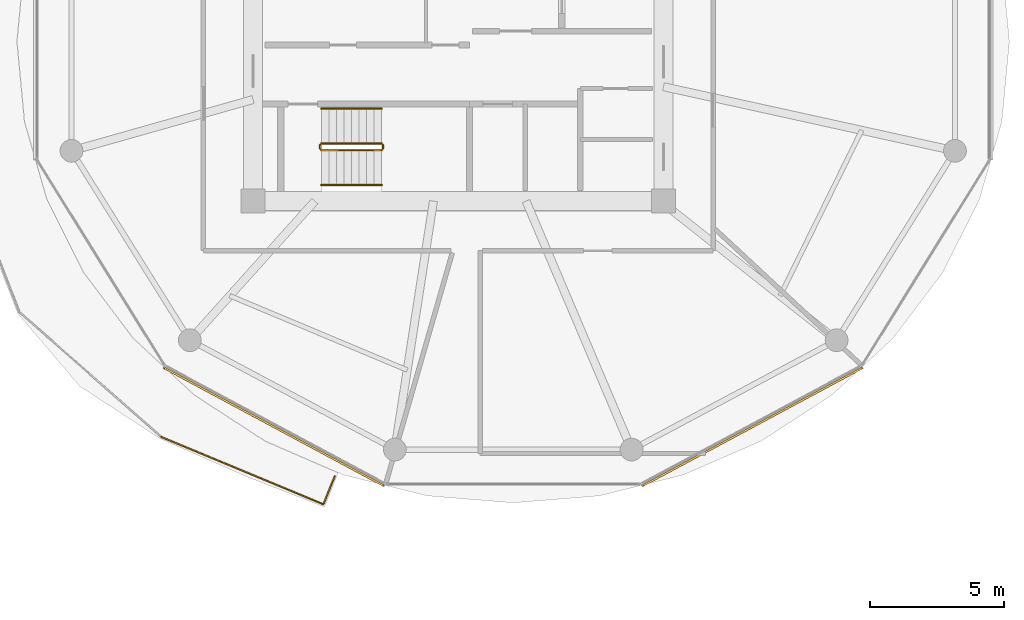
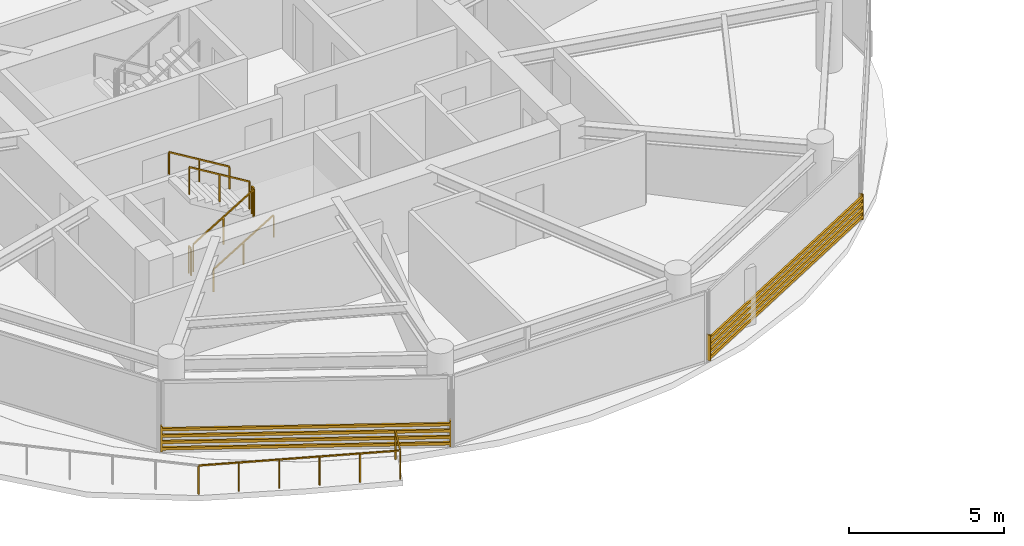
# One storey, part 19 of 22: 7 railings, 2 shading devices.
"""IFC4 building model written with IfcOpenShell, lengths in metres."""

import ifcopenshell
import ifcopenshell.guid

model = None  # the IFC model being written
_history = None  # IfcOwnerHistory: only IFC2X3 demands one
_inside = {}  # id of a spatial element -> (the spatial element, [elements in it])
_under = {}  # id of a project, library or spatial element -> (it, [spatial elements below it])
_declared = {}  # id of a project -> (the project, [libraries it declares])
_typed = {}  # id of a type object -> (the type object, [elements of that type])
_made_of = {}  # id of a material, layer set ... -> (it, [elements and type objects made of it])


def new_model(schema):
    """Start an empty IFC model of exactly this schema.

    Asked for "IFC4X3", IfcOpenShell would pick the latest addendum, in which some entities
    have other attributes; the version numbers below select the first issue.
    IFC2X3 requires an IfcOwnerHistory on every rooted entity: one is made here for all.
    """
    global model, _history
    if schema == "IFC4X3":
        model = ifcopenshell.file(schema_version=(4, 3, 0, 0))
    else:
        model = ifcopenshell.file(schema=schema)
    _inside.clear()
    _under.clear()
    _declared.clear()
    _typed.clear()
    _made_of.clear()
    _history = None
    if model.schema == "IFC2X3":
        org = make("IfcOrganization", Name="unknown")
        user = make(
            "IfcPersonAndOrganization",
            ThePerson=make("IfcPerson", FamilyName="unknown"),
            TheOrganization=org,
        )
        app = make(
            "IfcApplication",
            ApplicationDeveloper=org,
            Version="unknown",
            ApplicationFullName="unknown",
            ApplicationIdentifier="unknown",
        )
        _history = make(
            "IfcOwnerHistory",
            OwningUser=user,
            OwningApplication=app,
            ChangeAction="ADDED",
            CreationDate=0,
        )
    return model


def make(cls, **values):
    """One entity of the class cls with the attributes given. An attribute that is None is left unset."""
    return model.create_entity(
        cls, **{name: value for name, value in values.items() if value is not None}
    )


def rooted(cls, **values):
    """An entity with a GlobalId (a new one), such as an element, a storey or a relation."""
    return make(cls, GlobalId=ifcopenshell.guid.new(), OwnerHistory=_history, **values)


def si_unit(unit_type, name, prefix=None):
    """IfcSIUnit, for example si_unit("LENGTHUNIT", "METRE", prefix="MILLI")."""
    return make("IfcSIUnit", UnitType=unit_type, Prefix=prefix, Name=name)


def assignment(units):
    """IfcUnitAssignment: the units of a project."""
    return None if units is None else make("IfcUnitAssignment", Units=units)


def point(xyz):
    """IfcCartesianPoint."""
    return None if xyz is None else make("IfcCartesianPoint", Coordinates=xyz)


def direction(xyz):
    """IfcDirection."""
    return None if xyz is None else make("IfcDirection", DirectionRatios=xyz)


def frame(location, z_axis=None, x_axis=None):
    """IfcAxis2Placement3D, a coordinate frame: its origin and axes. An axis left out is left unset."""
    return make(
        "IfcAxis2Placement3D",
        Location=point(location),
        Axis=direction(z_axis),
        RefDirection=direction(x_axis),
    )


def frame_2d(location, x_axis=None):
    """IfcAxis2Placement2D, a coordinate frame in the plane: its origin and x axis."""
    return make(
        "IfcAxis2Placement2D", Location=point(location), RefDirection=direction(x_axis)
    )


def origin():
    """The frame at (0, 0, 0) with its axes left unset."""
    return frame((0.0, 0.0, 0.0))


def origin_2d():
    """The frame at (0, 0) in the plane with its x axis left unset."""
    return frame_2d((0.0, 0.0))


def place(relative_to, where):
    """IfcLocalPlacement: puts the frame where relative to a parent placement (None: the world)."""
    return make(
        "IfcLocalPlacement", PlacementRelTo=relative_to, RelativePlacement=where
    )


def context(
    kind, dimensions, precision=None, world=None, true_north=None, identifier=None
):
    """IfcGeometricRepresentationContext, for example the 3D "Model" context."""
    return make(
        "IfcGeometricRepresentationContext",
        ContextIdentifier=identifier,
        ContextType=kind,
        CoordinateSpaceDimension=dimensions,
        Precision=precision,
        WorldCoordinateSystem=world,
        TrueNorth=true_north,
    )


def subcontext(parent, identifier, kind, view, scale=None):
    """IfcGeometricRepresentationSubContext, for example "Body" below "Model"."""
    return make(
        "IfcGeometricRepresentationSubContext",
        ContextIdentifier=identifier,
        ContextType=kind,
        ParentContext=parent,
        TargetScale=scale,
        TargetView=view,
    )


def project(units=None, contexts=None):
    """IfcProject with its units and contexts."""
    return rooted(
        "IfcProject",
        Name="project",
        RepresentationContexts=contexts,
        UnitsInContext=assignment(units),
    )


def spatial(cls, under=None, at=None, **own):
    """A site, building, storey or space (cls), placed at a placement, below another one or the project."""
    s = rooted(cls, ObjectPlacement=at, **own)
    if under is not None:
        _under.setdefault(under.id(), (under, []))[1].append(s)
    return s


def profile(cls, at=None, kind="AREA", **sizes):
    """A parametric profile (cls). Its sizes go by their IFC names, for example OverallWidth=200.0."""
    return make(cls, ProfileType=kind, Position=at, **sizes)


def rectangle(**sizes):
    """IfcRectangleProfileDef."""
    return profile("IfcRectangleProfileDef", **sizes)


def extrude(swept, where, along, depth):
    """IfcExtrudedAreaSolid: the profile swept, set in the frame where, extruded along a direction by depth."""
    return make(
        "IfcExtrudedAreaSolid",
        SweptArea=swept,
        Position=where,
        ExtrudedDirection=direction(along),
        Depth=depth,
    )


def shape(context_of_items, identifier, shape_type, items):
    """IfcShapeRepresentation: the items that make up one representation, for example the "Body"."""
    return make(
        "IfcShapeRepresentation",
        ContextOfItems=context_of_items,
        RepresentationIdentifier=identifier,
        RepresentationType=shape_type,
        Items=items,
    )


def source(mapping_origin, context_of_items, identifier, shape_type, items):
    """IfcRepresentationMap: a shape defined once, which mapped items show again and again."""
    return make(
        "IfcRepresentationMap",
        MappingOrigin=mapping_origin,
        MappedRepresentation=shape(context_of_items, identifier, shape_type, items),
    )


def transform(
    local_origin,
    x_axis=None,
    y_axis=None,
    z_axis=None,
    scale=None,
    scale2=None,
    scale3=None,
    uniform=True,
):
    """IfcCartesianTransformationOperator3D, or its non-uniform kind. x_axis, y_axis, z_axis: its Axis1, 2, 3."""
    if uniform:
        return make(
            "IfcCartesianTransformationOperator3D",
            Axis1=direction(x_axis),
            Axis2=direction(y_axis),
            LocalOrigin=point(local_origin),
            Scale=scale,
            Axis3=direction(z_axis),
        )
    return make(
        "IfcCartesianTransformationOperator3DnonUniform",
        Axis1=direction(x_axis),
        Axis2=direction(y_axis),
        LocalOrigin=point(local_origin),
        Scale=scale,
        Axis3=direction(z_axis),
        Scale2=scale2,
        Scale3=scale3,
    )


def mapped(mapping_source, mapping_target):
    """IfcMappedItem: shows the shape of a source again, moved by a transform."""
    return make(
        "IfcMappedItem", MappingSource=mapping_source, MappingTarget=mapping_target
    )


def material(Name=None, Category=None):
    """IfcMaterial."""
    return make("IfcMaterial", Name=Name, Category=Category)


def made_of(thing, what):
    """Note that an element or type object is made of a material, layer set ...; save() writes the relation."""
    if what is not None:
        _made_of.setdefault(what.id(), (what, []))[1].append(thing)
    return thing


def type_object(cls, material=None, **own):
    """A type object (cls), such as IfcWallType, which elements share."""
    return made_of(rooted(cls, **own), material)


def type_shapes(of_type, sources):
    """Give a type object the sources (RepresentationMaps) that its elements show as mapped items."""
    of_type.RepresentationMaps = sources


def element(
    cls,
    number,
    at=None,
    inside=None,
    cuts=None,
    type_object=None,
    material=None,
    context=None,
    identifier="Body",
    shape_type=None,
    held_by="IfcProductDefinitionShape",
    body=None,
    shapes=None,
    **own,
):
    """One element of the class cls, such as IfcWall. Its Tag is "e" and its number.

    at: its placement. inside: the storey or other place that contains it. cuts: it is an
    opening in that element (IfcRelVoidsElement). A single representation is given by context,
    identifier, shape_type and body (its items); several are given by shapes. held_by: the class
    of the entity that holds the representations. save() writes the other relations.
    """
    e = rooted(cls, Tag="e%d" % number, ObjectPlacement=at, **own)
    if body is not None:
        shapes = [shape(context, identifier, shape_type, body)]
    if shapes is not None:
        e.Representation = make(held_by, Representations=shapes)
    if inside is not None:
        _inside.setdefault(inside.id(), (inside, []))[1].append(e)
    if cuts is not None:
        rooted(
            "IfcRelVoidsElement", RelatingBuildingElement=cuts, RelatedOpeningElement=e
        )
    if type_object is not None:
        _typed.setdefault(type_object.id(), (type_object, []))[1].append(e)
    return made_of(e, material)


def aggregate(whole, parts):
    """IfcRelAggregates: a whole, such as a stair, and the parts it consists of."""
    return rooted("IfcRelAggregates", RelatingObject=whole, RelatedObjects=parts)


def save(model, path):
    """Write the relations noted so far, then the file.

    IfcRelAggregates (storeys below a building ...), IfcRelContainedInSpatialStructure (elements
    in a storey), IfcRelDefinesByType, IfcRelAssociatesMaterial and IfcRelDeclares: one each for
    every whole, place, type object, material and project.
    """
    for whole, parts in _under.values():
        aggregate(whole, parts)
    for where, things in _inside.values():
        rooted(
            "IfcRelContainedInSpatialStructure",
            RelatedElements=things,
            RelatingStructure=where,
        )
    for kind, things in _typed.values():
        rooted("IfcRelDefinesByType", RelatedObjects=things, RelatingType=kind)
    for what, things in _made_of.values():
        rooted("IfcRelAssociatesMaterial", RelatedObjects=things, RelatingMaterial=what)
    for by, libraries in _declared.values():
        rooted("IfcRelDeclares", RelatingContext=by, RelatedDefinitions=libraries)
    model.write(path)


model = new_model("IFC4")

# Units and contexts
model_context = context("Model", 3, precision=1e-05, world=origin(), true_north=direction((0.0, 1.0)))
body_context = subcontext(model_context, "Body", "Model", "MODEL_VIEW")
ifc_project = project(units=[si_unit("LENGTHUNIT", "METRE"), si_unit("AREAUNIT", "SQUARE_METRE"), si_unit("VOLUMEUNIT", "CUBIC_METRE"), si_unit("PLANEANGLEUNIT", "RADIAN"), si_unit("MASSUNIT", "GRAM", prefix="KILO")], contexts=[model_context])

# Site, building, storey
site_placement = place(None, origin())
site = spatial("IfcSite", under=ifc_project, at=site_placement, CompositionType="ELEMENT")
building_placement = place(site_placement, origin())
building = spatial("IfcBuilding", under=site, at=building_placement, Name="Norrkilde Senior Care Towers", CompositionType="ELEMENT")
storey_placement = place(building_placement, frame((0.0, 0.0, 96.25)))
storey = spatial("IfcBuildingStorey", under=building, at=storey_placement, Name="L29", CompositionType="ELEMENT", Elevation=96.25)

# Railings
ifc_material_1 = material(Name="Anodised Aluminium", Category="aluminium")
railing_type_1 = type_object("IfcRailingType", Name="Balcony Swirl Ribbon Guardrail 1150", PredefinedType="GUARDRAIL", material=ifc_material_1)
railing_1_placement = place(storey_placement, frame((-32.609375, -16.21484375, 0.0)))
element("IfcRailing", 1, at=railing_1_placement, inside=storey, type_object=railing_type_1, Name="L29 Perimeter Safety Guard 04", PredefinedType="GUARDRAIL", context=body_context, shape_type="SweptSolid", body=[
    extrude(rectangle(XDim=0.048095703125, YDim=0.048095703125, at=origin_2d()), frame((0.0, 0.0, 1.1259765625), z_axis=(-0.375700059071, -0.92674131537, 0.0), x_axis=(0.92674131537, -0.375700059071, 0.0)), (0.0, 0.0, 1.0), 1.081298828125),
    extrude(rectangle(XDim=0.048095703125, YDim=0.048095703125, at=origin_2d()), frame((-0.45947265625, -1.0244140625, 1.1259765625), z_axis=(-0.923219138483, 0.384273889743, 0.0), x_axis=(-0.384273889743, -0.923219138483, 0.0)), (0.0, 0.0, 1.0), 6.508056640625),
    extrude(rectangle(XDim=0.0419921875, YDim=0.0419921875, at=origin_2d()), origin(), (0.0, 0.0, 1.0), 1.099853515625),
    extrude(rectangle(XDim=0.0419921875, YDim=0.0419921875, at=origin_2d()), frame((-0.421630859375, -1.0400390625, 0.0)), (0.0, 0.0, 1.0), 1.099853515625),
    extrude(rectangle(XDim=0.0419921875, YDim=0.0419921875, at=origin_2d()), frame((-1.630859375, -0.53662109375, 0.0)), (0.0, 0.0, 1.0), 1.099853515625),
    extrude(rectangle(XDim=0.0419921875, YDim=0.0419921875, at=origin_2d()), frame((-2.840087890625, -0.033447265625, 0.0)), (0.0, 0.0, 1.0), 1.099853515625),
    extrude(rectangle(XDim=0.0419921875, YDim=0.0419921875, at=origin_2d()), frame((-4.04931640625, 0.469970703125, 0.0)), (0.0, 0.0, 1.0), 1.099853515625),
    extrude(rectangle(XDim=0.0419921875, YDim=0.0419921875, at=origin_2d()), frame((-5.258544921875, 0.97314453125, 0.0)), (0.0, 0.0, 1.0), 1.099853515625),
    extrude(rectangle(XDim=0.0419921875, YDim=0.0419921875, at=origin_2d()), frame((-6.4677734375, 1.4765625, 0.0)), (0.0, 0.0, 1.0), 1.099853515625),
])
ifc_material_2 = material(Name="Stainless Steel", Category="steel")
railing_type_2 = type_object("IfcRailingType", Name="Stair and Terrace Guardrail 1100", PredefinedType="GUARDRAIL", material=ifc_material_2)
railing_2_placement = place(storey_placement, frame((-33.10009765625, -4.050048828125, 0.16943359375)))
element("IfcRailing", 2, at=railing_2_placement, inside=storey, type_object=railing_type_2, Name="L29 ST-W2 stair guard 1", PredefinedType="GUARDRAIL", context=body_context, shape_type="SweptSolid", body=[
    extrude(rectangle(XDim=0.048095703125, YDim=0.048095703125, at=origin_2d()), frame((0.0, 0.0, 1.076171875), z_axis=(0.855553338991, 0.0, 0.51771467445), x_axis=(0.0, 1.0, 0.0)), (0.0, 0.0, 1.0), 2.6181640625),
    extrude(rectangle(XDim=0.0419921875, YDim=0.0419921875, at=origin_2d()), origin(), (0.0, 0.0, 1.0), 1.050048828125),
    extrude(rectangle(XDim=0.0419921875, YDim=0.0419921875, at=origin_2d()), frame((1.1201171875, 0.0, 0.677734375)), (0.0, 0.0, 1.0), 1.050048828125),
    extrude(rectangle(XDim=0.0419921875, YDim=0.0419921875, at=origin_2d()), frame((2.239990234375, 0.0, 1.35546875)), (0.0, 0.0, 1.0), 1.050048828125),
])
railing_3_placement = place(storey_placement, frame((-30.81005859375, -4.0, 1.52490234375)))
element("IfcRailing", 3, at=railing_3_placement, inside=storey, type_object=railing_type_2, Name="L29 ST-W2 stair guard 2", PredefinedType="GUARDRAIL", context=body_context, shape_type="SweptSolid", body=[
    extrude(rectangle(XDim=0.048095703125, YDim=0.048095703125, at=origin_2d()), frame((0.0, 0.0, 1.076171875), z_axis=(0.0, 1.0, 0.0), x_axis=(-1.0, 0.0, 0.0)), (0.0, 0.0, 1.0), 0.14990234375),
    extrude(rectangle(XDim=0.0419921875, YDim=0.0419921875, at=origin_2d()), origin(), (0.0, 0.0, 1.0), 1.050048828125),
    extrude(rectangle(XDim=0.0419921875, YDim=0.0419921875, at=origin_2d()), frame((0.0, 0.14990234375, 0.0)), (0.0, 0.0, 1.0), 1.050048828125),
])
railing_4_placement = place(storey_placement, frame((-30.860107421875, -3.800048828125, 1.6943359375)))
element("IfcRailing", 4, at=railing_4_placement, inside=storey, type_object=railing_type_2, Name="L29 ST-W2 stair guard 3", PredefinedType="GUARDRAIL", context=body_context, shape_type="SweptSolid", body=[
    extrude(rectangle(XDim=0.048095703125, YDim=0.048095703125, at=origin_2d()), frame((0.0, 0.0, 1.076171875), z_axis=(-0.855512035549, 0.0, 0.517782924622), x_axis=(0.0, -1.0, 0.0)), (0.0, 0.0, 1.0), 2.618408203125),
    extrude(rectangle(XDim=0.0419921875, YDim=0.0419921875, at=origin_2d()), origin(), (0.0, 0.0, 1.0), 1.050048828125),
    extrude(rectangle(XDim=0.0419921875, YDim=0.0419921875, at=origin_2d()), frame((-1.1201171875, 0.0, 0.677734375)), (0.0, 0.0, 1.0), 1.050048828125),
    extrude(rectangle(XDim=0.0419921875, YDim=0.0419921875, at=origin_2d()), frame((-2.239990234375, 0.0, 1.355712890625)), (0.0, 0.0, 1.0), 1.050048828125),
])
railing_5_placement = place(storey_placement, frame((-33.14990234375, -4.0, 0.0)))
element("IfcRailing", 5, at=railing_5_placement, inside=storey, type_object=railing_type_2, Name="L29 ST-W2 stair guard 4", PredefinedType="GUARDRAIL", context=body_context, shape_type="SweptSolid", body=[
    extrude(rectangle(XDim=0.048095703125, YDim=0.048095703125, at=origin_2d()), frame((0.0, 0.0, 1.076171875), z_axis=(0.0, 1.0, 0.0), x_axis=(-1.0, 0.0, 0.0)), (0.0, 0.0, 1.0), 0.14990234375),
    extrude(rectangle(XDim=0.0419921875, YDim=0.0419921875, at=origin_2d()), origin(), (0.0, 0.0, 1.0), 1.050048828125),
    extrude(rectangle(XDim=0.0419921875, YDim=0.0419921875, at=origin_2d()), frame((0.0, 0.14990234375, 0.0)), (0.0, 0.0, 1.0), 1.050048828125),
])
ifc_material_3 = material(Name="Nordic Ash Timber", Category="wood")
railing_type_3 = type_object("IfcRailingType", Name="Wall and Stair Handrail 900", PredefinedType="HANDRAIL", material=ifc_material_3)
railing_6_placement = place(storey_placement, frame((-33.10009765625, -5.35009765625, 0.16943359375)))
element("IfcRailing", 6, at=railing_6_placement, inside=storey, type_object=railing_type_3, Name="L29 ST-W2 stair handrail 1", PredefinedType="HANDRAIL", context=body_context, shape_type="SweptSolid", body=[
    extrude(rectangle(XDim=0.048095703125, YDim=0.048095703125, at=origin_2d()), frame((0.0, 0.0, 0.8759765625), z_axis=(0.855553338991, 0.0, 0.51771467445), x_axis=(0.0, 1.0, 0.0)), (0.0, 0.0, 1.0), 2.6181640625),
    extrude(rectangle(XDim=0.0419921875, YDim=0.0419921875, at=origin_2d()), origin(), (0.0, 0.0, 1.0), 0.849853515625),
    extrude(rectangle(XDim=0.0419921875, YDim=0.0419921875, at=origin_2d()), frame((1.1201171875, 0.0, 0.677734375)), (0.0, 0.0, 1.0), 0.849853515625),
    extrude(rectangle(XDim=0.0419921875, YDim=0.0419921875, at=origin_2d()), frame((2.239990234375, 0.0, 1.35546875)), (0.0, 0.0, 1.0), 0.849853515625),
])
railing_7_placement = place(storey_placement, frame((-30.860107421875, -2.5, 1.6943359375)))
element("IfcRailing", 7, at=railing_7_placement, inside=storey, type_object=railing_type_3, Name="L29 ST-W2 stair handrail 2", PredefinedType="HANDRAIL", context=body_context, shape_type="SweptSolid", body=[
    extrude(rectangle(XDim=0.048095703125, YDim=0.048095703125, at=origin_2d()), frame((0.0, 0.0, 0.8759765625), z_axis=(-0.855512035549, 0.0, 0.517782924622), x_axis=(0.0, -1.0, 0.0)), (0.0, 0.0, 1.0), 2.618408203125),
    extrude(rectangle(XDim=0.0419921875, YDim=0.0419921875, at=origin_2d()), origin(), (0.0, 0.0, 1.0), 0.849853515625),
    extrude(rectangle(XDim=0.0419921875, YDim=0.0419921875, at=origin_2d()), frame((-1.1201171875, 0.0, 0.677734375)), (0.0, 0.0, 1.0), 0.849853515625),
    extrude(rectangle(XDim=0.0419921875, YDim=0.0419921875, at=origin_2d()), frame((-2.239990234375, 0.0, 1.355712890625)), (0.0, 0.0, 1.0), 0.849853515625),
])

# Shading devices
ifc_material_4 = material(Name="Architectural Terracotta", Category="masonry")
shading_device_type = type_object("IfcShadingDeviceType", Name="Horizontal Terracotta Baguette Rack", PredefinedType="USERDEFINED", material=ifc_material_4)
shared_shape = source(origin(), body_context, "Body", "SweptSolid", [
    extrude(rectangle(XDim=0.070068359375, YDim=0.110107421875, at=origin_2d()), frame((0.0, 0.090087890625, 0.125), z_axis=(1.0, 0.0, 0.0), x_axis=(0.0, 1.0, 0.0)), (0.0, 0.0, 1.0), 9.3505859375),
    extrude(rectangle(XDim=0.070068359375, YDim=0.110107421875, at=origin_2d()), frame((0.0, 0.090087890625, 0.375), z_axis=(1.0, 0.0, 0.0), x_axis=(0.0, 1.0, 0.0)), (0.0, 0.0, 1.0), 9.3505859375),
    extrude(rectangle(XDim=0.070068359375, YDim=0.110107421875, at=origin_2d()), frame((0.0, 0.090087890625, 0.625), z_axis=(1.0, 0.0, 0.0), x_axis=(0.0, 1.0, 0.0)), (0.0, 0.0, 1.0), 9.3505859375),
    extrude(rectangle(XDim=0.070068359375, YDim=0.110107421875, at=origin_2d()), frame((0.0, 0.090087890625, 0.875), z_axis=(1.0, 0.0, 0.0), x_axis=(0.0, 1.0, 0.0)), (0.0, 0.0, 1.0), 9.3505859375),
    extrude(rectangle(XDim=0.050048828125, YDim=0.1552734375, at=origin_2d()), frame((0.02490234375, 0.047607421875, 0.0)), (0.0, 0.0, 1.0), 1.0),
    extrude(rectangle(XDim=0.050048828125, YDim=0.1552734375, at=origin_2d()), frame((9.32568359375, 0.047607421875, 0.0)), (0.0, 0.0, 1.0), 1.0),
])
type_shapes(shading_device_type, [shared_shape])
for number, where, z_axis, x_axis, name in (
    (8, (-30.70703125, -16.498046875, 0.080078125), (0.0, 0.0, 1.0), (-0.881174934726, 0.472767624021, 0.0), "L29 Drum W Terracotta Baguette Screen 07"),
    (9, (-12.953369140625, -12.077392578125, 0.080078125), (0.0, 0.0, 1.0), (-0.881174934726, -0.472767624021, 0.0), "L29 Drum W Terracotta Baguette Screen 09"),
):
    element("IfcShadingDevice", number, at=place(storey_placement, frame(where, z_axis=z_axis, x_axis=x_axis)), inside=storey, type_object=shading_device_type, Name=name, ObjectType="BAGUETTE", PredefinedType="USERDEFINED", context=body_context, shape_type="MappedRepresentation", body=[
        mapped(shared_shape, transform((0.0, 0.0, 0.0), x_axis=(1.0, 0.0, 0.0), y_axis=(0.0, 1.0, 0.0), z_axis=(0.0, 0.0, 1.0), scale=1.0)),
    ])

save(model, "model.ifc")
